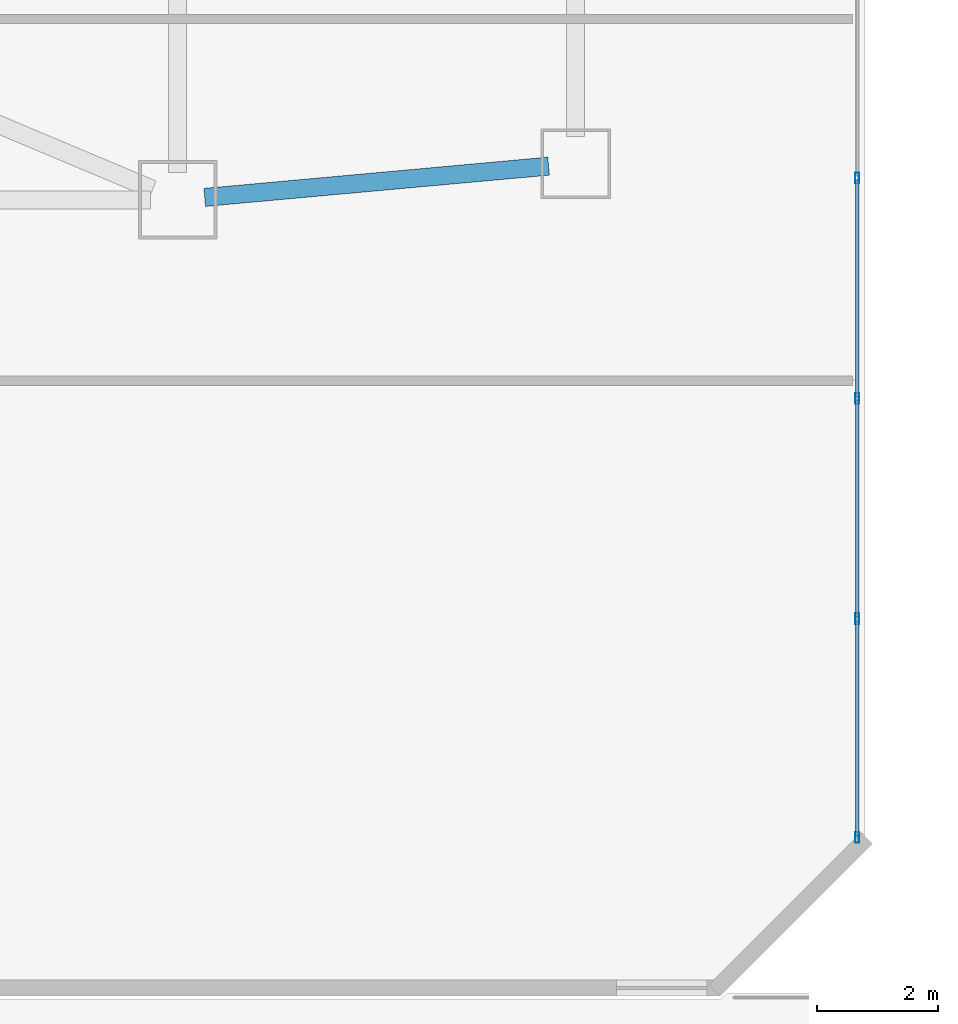
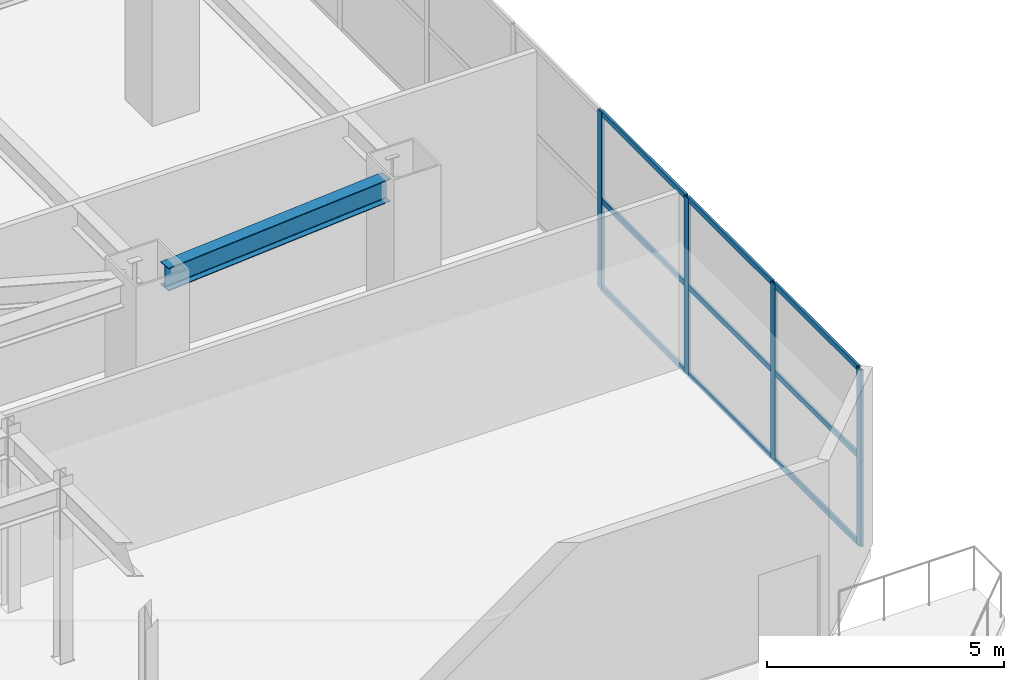
# One storey, part 18 of 31: 13 members, 1 beam, 1 element without a shape of its own.
"""IFC4 building model written with IfcOpenShell, lengths in metres."""

import ifcopenshell
import ifcopenshell.guid

model = None  # the IFC model being written
_history = None  # IfcOwnerHistory: only IFC2X3 demands one
_inside = {}  # id of a spatial element -> (the spatial element, [elements in it])
_under = {}  # id of a project, library or spatial element -> (it, [spatial elements below it])
_declared = {}  # id of a project -> (the project, [libraries it declares])
_typed = {}  # id of a type object -> (the type object, [elements of that type])
_made_of = {}  # id of a material, layer set ... -> (it, [elements and type objects made of it])


def new_model(schema):
    """Start an empty IFC model of exactly this schema.

    Asked for "IFC4X3", IfcOpenShell would pick the latest addendum, in which some entities
    have other attributes; the version numbers below select the first issue.
    IFC2X3 requires an IfcOwnerHistory on every rooted entity: one is made here for all.
    """
    global model, _history
    if schema == "IFC4X3":
        model = ifcopenshell.file(schema_version=(4, 3, 0, 0))
    else:
        model = ifcopenshell.file(schema=schema)
    _inside.clear()
    _under.clear()
    _declared.clear()
    _typed.clear()
    _made_of.clear()
    _history = None
    if model.schema == "IFC2X3":
        org = make("IfcOrganization", Name="unknown")
        user = make(
            "IfcPersonAndOrganization",
            ThePerson=make("IfcPerson", FamilyName="unknown"),
            TheOrganization=org,
        )
        app = make(
            "IfcApplication",
            ApplicationDeveloper=org,
            Version="unknown",
            ApplicationFullName="unknown",
            ApplicationIdentifier="unknown",
        )
        _history = make(
            "IfcOwnerHistory",
            OwningUser=user,
            OwningApplication=app,
            ChangeAction="ADDED",
            CreationDate=0,
        )
    return model


def make(cls, **values):
    """One entity of the class cls with the attributes given. An attribute that is None is left unset."""
    return model.create_entity(
        cls, **{name: value for name, value in values.items() if value is not None}
    )


def rooted(cls, **values):
    """An entity with a GlobalId (a new one), such as an element, a storey or a relation."""
    return make(cls, GlobalId=ifcopenshell.guid.new(), OwnerHistory=_history, **values)


def si_unit(unit_type, name, prefix=None):
    """IfcSIUnit, for example si_unit("LENGTHUNIT", "METRE", prefix="MILLI")."""
    return make("IfcSIUnit", UnitType=unit_type, Prefix=prefix, Name=name)


def assignment(units):
    """IfcUnitAssignment: the units of a project."""
    return None if units is None else make("IfcUnitAssignment", Units=units)


def point(xyz):
    """IfcCartesianPoint."""
    return None if xyz is None else make("IfcCartesianPoint", Coordinates=xyz)


def direction(xyz):
    """IfcDirection."""
    return None if xyz is None else make("IfcDirection", DirectionRatios=xyz)


def frame(location, z_axis=None, x_axis=None):
    """IfcAxis2Placement3D, a coordinate frame: its origin and axes. An axis left out is left unset."""
    return make(
        "IfcAxis2Placement3D",
        Location=point(location),
        Axis=direction(z_axis),
        RefDirection=direction(x_axis),
    )


def frame_2d(location, x_axis=None):
    """IfcAxis2Placement2D, a coordinate frame in the plane: its origin and x axis."""
    return make(
        "IfcAxis2Placement2D", Location=point(location), RefDirection=direction(x_axis)
    )


def origin():
    """The frame at (0, 0, 0) with its axes left unset."""
    return frame((0.0, 0.0, 0.0))


def origin_2d():
    """The frame at (0, 0) in the plane with its x axis left unset."""
    return frame_2d((0.0, 0.0))


def place(relative_to, where):
    """IfcLocalPlacement: puts the frame where relative to a parent placement (None: the world)."""
    return make(
        "IfcLocalPlacement", PlacementRelTo=relative_to, RelativePlacement=where
    )


def context(
    kind, dimensions, precision=None, world=None, true_north=None, identifier=None
):
    """IfcGeometricRepresentationContext, for example the 3D "Model" context."""
    return make(
        "IfcGeometricRepresentationContext",
        ContextIdentifier=identifier,
        ContextType=kind,
        CoordinateSpaceDimension=dimensions,
        Precision=precision,
        WorldCoordinateSystem=world,
        TrueNorth=true_north,
    )


def subcontext(parent, identifier, kind, view, scale=None):
    """IfcGeometricRepresentationSubContext, for example "Body" below "Model"."""
    return make(
        "IfcGeometricRepresentationSubContext",
        ContextIdentifier=identifier,
        ContextType=kind,
        ParentContext=parent,
        TargetScale=scale,
        TargetView=view,
    )


def project(units=None, contexts=None):
    """IfcProject with its units and contexts."""
    return rooted(
        "IfcProject",
        Name="project",
        RepresentationContexts=contexts,
        UnitsInContext=assignment(units),
    )


def spatial(cls, under=None, at=None, **own):
    """A site, building, storey or space (cls), placed at a placement, below another one or the project."""
    s = rooted(cls, ObjectPlacement=at, **own)
    if under is not None:
        _under.setdefault(under.id(), (under, []))[1].append(s)
    return s


def profile(cls, at=None, kind="AREA", **sizes):
    """A parametric profile (cls). Its sizes go by their IFC names, for example OverallWidth=200.0."""
    return make(cls, ProfileType=kind, Position=at, **sizes)


def hollow_rectangle(**sizes):
    """IfcRectangleHollowProfileDef."""
    return profile("IfcRectangleHollowProfileDef", **sizes)


def i_section(**sizes):
    """IfcIShapeProfileDef."""
    return profile("IfcIShapeProfileDef", **sizes)


def extrude(swept, where, along, depth):
    """IfcExtrudedAreaSolid: the profile swept, set in the frame where, extruded along a direction by depth."""
    return make(
        "IfcExtrudedAreaSolid",
        SweptArea=swept,
        Position=where,
        ExtrudedDirection=direction(along),
        Depth=depth,
    )


def shape(context_of_items, identifier, shape_type, items):
    """IfcShapeRepresentation: the items that make up one representation, for example the "Body"."""
    return make(
        "IfcShapeRepresentation",
        ContextOfItems=context_of_items,
        RepresentationIdentifier=identifier,
        RepresentationType=shape_type,
        Items=items,
    )


def material(Name=None, Category=None):
    """IfcMaterial."""
    return make("IfcMaterial", Name=Name, Category=Category)


def layer(
    of_material, thickness, ventilated=None, Name=None, Category=None, Priority=None
):
    """IfcMaterialLayer: one layer of a wall or slab, of a material (None: an air gap)."""
    return make(
        "IfcMaterialLayer",
        Material=of_material,
        LayerThickness=thickness,
        IsVentilated=ventilated,
        Name=Name,
        Category=Category,
        Priority=Priority,
    )


def layer_set(layers, Name=None):
    """IfcMaterialLayerSet."""
    return make("IfcMaterialLayerSet", MaterialLayers=layers, LayerSetName=Name)


def material_profile(
    of_material, cross_section, Name=None, Category=None, Priority=None
):
    """IfcMaterialProfile: a cross section and its material."""
    return make(
        "IfcMaterialProfile",
        Name=Name,
        Material=of_material,
        Profile=cross_section,
        Priority=Priority,
        Category=Category,
    )


def profile_set(profiles, Name=None, composite=None):
    """IfcMaterialProfileSet."""
    return make(
        "IfcMaterialProfileSet",
        Name=Name,
        MaterialProfiles=profiles,
        CompositeProfile=composite,
    )


def made_of(thing, what):
    """Note that an element or type object is made of a material, layer set ...; save() writes the relation."""
    if what is not None:
        _made_of.setdefault(what.id(), (what, []))[1].append(thing)
    return thing


def type_object(cls, material=None, **own):
    """A type object (cls), such as IfcWallType, which elements share."""
    return made_of(rooted(cls, **own), material)


def element(
    cls,
    number,
    at=None,
    inside=None,
    cuts=None,
    type_object=None,
    material=None,
    context=None,
    identifier="Body",
    shape_type=None,
    held_by="IfcProductDefinitionShape",
    body=None,
    shapes=None,
    **own,
):
    """One element of the class cls, such as IfcWall. Its Tag is "e" and its number.

    at: its placement. inside: the storey or other place that contains it. cuts: it is an
    opening in that element (IfcRelVoidsElement). A single representation is given by context,
    identifier, shape_type and body (its items); several are given by shapes. held_by: the class
    of the entity that holds the representations. save() writes the other relations.
    """
    e = rooted(cls, Tag="e%d" % number, ObjectPlacement=at, **own)
    if body is not None:
        shapes = [shape(context, identifier, shape_type, body)]
    if shapes is not None:
        e.Representation = make(held_by, Representations=shapes)
    if inside is not None:
        _inside.setdefault(inside.id(), (inside, []))[1].append(e)
    if cuts is not None:
        rooted(
            "IfcRelVoidsElement", RelatingBuildingElement=cuts, RelatedOpeningElement=e
        )
    if type_object is not None:
        _typed.setdefault(type_object.id(), (type_object, []))[1].append(e)
    return made_of(e, material)


def aggregate(whole, parts):
    """IfcRelAggregates: a whole, such as a stair, and the parts it consists of."""
    return rooted("IfcRelAggregates", RelatingObject=whole, RelatedObjects=parts)


def save(model, path):
    """Write the relations noted so far, then the file.

    IfcRelAggregates (storeys below a building ...), IfcRelContainedInSpatialStructure (elements
    in a storey), IfcRelDefinesByType, IfcRelAssociatesMaterial and IfcRelDeclares: one each for
    every whole, place, type object, material and project.
    """
    for whole, parts in _under.values():
        aggregate(whole, parts)
    for where, things in _inside.values():
        rooted(
            "IfcRelContainedInSpatialStructure",
            RelatedElements=things,
            RelatingStructure=where,
        )
    for kind, things in _typed.values():
        rooted("IfcRelDefinesByType", RelatedObjects=things, RelatingType=kind)
    for what, things in _made_of.values():
        rooted("IfcRelAssociatesMaterial", RelatedObjects=things, RelatingMaterial=what)
    for by, libraries in _declared.values():
        rooted("IfcRelDeclares", RelatingContext=by, RelatedDefinitions=libraries)
    model.write(path)


model = new_model("IFC4")

# Units and contexts
model_context = context("Model", 3, precision=1e-05, world=origin(), true_north=direction((0.0, 1.0)))
body_context = subcontext(model_context, "Body", "Model", "MODEL_VIEW")
ifc_project = project(units=[si_unit("LENGTHUNIT", "METRE"), si_unit("AREAUNIT", "SQUARE_METRE"), si_unit("VOLUMEUNIT", "CUBIC_METRE"), si_unit("PLANEANGLEUNIT", "RADIAN"), si_unit("MASSUNIT", "GRAM", prefix="KILO")], contexts=[model_context])

# Site, building, storey
site_placement = place(None, origin())
site = spatial("IfcSite", under=ifc_project, at=site_placement, CompositionType="ELEMENT")
building_placement = place(site_placement, origin())
building = spatial("IfcBuilding", under=site, at=building_placement, Name="Haolan Belvedere Tower", CompositionType="ELEMENT")
storey_placement = place(building_placement, frame((0.0, 0.0, 5.39990234375)))
storey = spatial("IfcBuildingStorey", under=building, at=storey_placement, Name="L01", CompositionType="ELEMENT", Elevation=5.39990234375)

# Beam
ifc_material_1 = material(Name="Steel Q355B", Category="steel")
ifc_material_profile_1 = material_profile(ifc_material_1, i_section(OverallWidth=0.300048828125, OverallDepth=0.587890625, WebThickness=0.011962890625, FlangeThickness=0.02001953125, FilletRadius=0.028076171875, at=origin_2d()), Name="Steel Q355B")
ifc_profile_set_1 = profile_set([ifc_material_profile_1], Name="Steel Q355B")
beam_type = type_object("IfcBeamType", Name="BM-HM588x300x12x20", PredefinedType="SPANDREL", material=ifc_profile_set_1)
beam_placement = place(storey_placement, frame((64.648193359375, 16.8408203125, 4.26611328125), z_axis=(0.995892507606, 0.090543433189, 0.0), x_axis=(-0.090543433189, 0.995892507606, 0.0)))
element("IfcBeam", 1, at=beam_placement, inside=storey, type_object=beam_type, Name="L01 spandrel girder MC-T4-SE-MC-T5-SE", PredefinedType="SPANDREL", context=body_context, shape_type="SweptSolid", body=[
    extrude(i_section(OverallWidth=0.300048828125, OverallDepth=0.587890625, WebThickness=0.011962890625, FlangeThickness=0.02001953125, FilletRadius=0.028076171875, at=origin_2d()), origin(), (0.0, 0.0, 1.0), 5.72705078125),
])

# Curtain wall, members
ifc_material_2 = material(Name="Anodised champagne-silver aluminium 6063-T6 and Low-E glass", Category="aluminium")
ifc_layer = layer(ifc_material_2, 0.179931640625, Name="Anodised champagne-silver aluminium 6063-T6 and Low-E glass")
ifc_layer_set = layer_set([ifc_layer], Name="Anodised champagne-silver aluminium 6063-T6 and Low-E glass")
curtain_wall_type = type_object("IfcCurtainWallType", Name="CW-SYS-01", PredefinedType="NOTDEFINED", material=ifc_layer_set)
curtain_wall_placement = place(storey_placement, origin())
curtain_wall = element("IfcCurtainWall", 2, at=curtain_wall_placement, inside=storey, type_object=curtain_wall_type, Name="L01 CW-SYS-01 ribbon curtain wall 2.1", PredefinedType="NOTDEFINED")
ifc_material_3 = material(Name="Anodised aluminium 6063-T6", Category="aluminium")
ifc_material_profile_2 = material_profile(ifc_material_3, hollow_rectangle(XDim=0.06494140625, YDim=0.179931640625, WallThickness=0.00390625, at=origin_2d()), Name="Anodised aluminium 6063-T6")
ifc_profile_set_2 = profile_set([ifc_material_profile_2], Name="Anodised aluminium 6063-T6")
member_type_1 = type_object("IfcMemberType", Name="CW-SYS-01-MUL", PredefinedType="MULLION", material=ifc_profile_set_2)
member_1_placement = place(storey_placement, frame((75.469970703125, 6.226318359375, 0.0), z_axis=(0.0, 0.0, 1.0), x_axis=(-1.0, 0.0, 0.0)))
member_1 = element("IfcMember", 3, at=member_1_placement, type_object=member_type_1, Name="CW-01 mullion 1", PredefinedType="MULLION", context=body_context, shape_type="SweptSolid", body=[
    extrude(hollow_rectangle(XDim=0.06494140625, YDim=0.179931640625, WallThickness=0.00390625, at=origin_2d()), origin(), (0.0, 0.0, 1.0), 4.56005859375),
])
member_2_placement = place(storey_placement, frame((75.469970703125, 9.850341796875, 0.0), z_axis=(0.0, 0.0, 1.0), x_axis=(-1.0, 0.0, 0.0)))
member_2 = element("IfcMember", 4, at=member_2_placement, type_object=member_type_1, Name="CW-01 mullion 2", PredefinedType="MULLION", context=body_context, shape_type="SweptSolid", body=[
    extrude(hollow_rectangle(XDim=0.06494140625, YDim=0.179931640625, WallThickness=0.00390625, at=origin_2d()), origin(), (0.0, 0.0, 1.0), 4.56005859375),
])
member_3_placement = place(storey_placement, frame((75.469970703125, 13.507080078125, 0.0), z_axis=(0.0, 0.0, 1.0), x_axis=(-1.0, 0.0, 0.0)))
member_3 = element("IfcMember", 5, at=member_3_placement, type_object=member_type_1, Name="CW-01 mullion 3", PredefinedType="MULLION", context=body_context, shape_type="SweptSolid", body=[
    extrude(hollow_rectangle(XDim=0.06494140625, YDim=0.179931640625, WallThickness=0.00390625, at=origin_2d()), origin(), (0.0, 0.0, 1.0), 4.56005859375),
])
member_4_placement = place(storey_placement, frame((75.469970703125, 17.16357421875, 0.0), z_axis=(0.0, 0.0, 1.0), x_axis=(-1.0, 0.0, 0.0)))
member_4 = element("IfcMember", 6, at=member_4_placement, type_object=member_type_1, Name="CW-01 mullion 4", PredefinedType="MULLION", context=body_context, shape_type="SweptSolid", body=[
    extrude(hollow_rectangle(XDim=0.06494140625, YDim=0.179931640625, WallThickness=0.00390625, at=origin_2d()), origin(), (0.0, 0.0, 1.0), 4.56005859375),
])
ifc_material_profile_3 = material_profile(ifc_material_3, hollow_rectangle(XDim=0.06005859375, YDim=0.139892578125, WallThickness=0.00390625, at=origin_2d()), Name="Anodised aluminium 6063-T6")
ifc_profile_set_3 = profile_set([ifc_material_profile_3], Name="Anodised aluminium 6063-T6")
member_type_2 = type_object("IfcMemberType", Name="CW-SYS-01-TRN", PredefinedType="USERDEFINED", material=ifc_profile_set_3)
member_5_placement = place(storey_placement, frame((75.469970703125, 6.2587890625, 0.030029296875), z_axis=(0.0, 1.0, 0.0), x_axis=(-1.0, 0.0, 0.0)))
member_5 = element("IfcMember", 7, at=member_5_placement, type_object=member_type_2, Name="CW-01 transom 1.1", ObjectType="TRANSOM", PredefinedType="USERDEFINED", context=body_context, shape_type="SweptSolid", body=[
    extrude(hollow_rectangle(XDim=0.06005859375, YDim=0.139892578125, WallThickness=0.00390625, at=origin_2d()), origin(), (0.0, 0.0, 1.0), 3.55908203125),
])
member_6_placement = place(storey_placement, frame((75.469970703125, 6.2587890625, 2.280029296875), z_axis=(0.0, 1.0, 0.0), x_axis=(-1.0, 0.0, 0.0)))
member_6 = element("IfcMember", 8, at=member_6_placement, type_object=member_type_2, Name="CW-01 transom 1.2", ObjectType="TRANSOM", PredefinedType="USERDEFINED", context=body_context, shape_type="SweptSolid", body=[
    extrude(hollow_rectangle(XDim=0.06005859375, YDim=0.139892578125, WallThickness=0.00390625, at=origin_2d()), origin(), (0.0, 0.0, 1.0), 3.55908203125),
])
member_7_placement = place(storey_placement, frame((75.469970703125, 6.2587890625, 4.530029296875), z_axis=(0.0, 1.0, 0.0), x_axis=(-1.0, 0.0, 0.0)))
member_7 = element("IfcMember", 9, at=member_7_placement, type_object=member_type_2, Name="CW-01 transom 1.3", ObjectType="TRANSOM", PredefinedType="USERDEFINED", context=body_context, shape_type="SweptSolid", body=[
    extrude(hollow_rectangle(XDim=0.06005859375, YDim=0.139892578125, WallThickness=0.00390625, at=origin_2d()), origin(), (0.0, 0.0, 1.0), 3.55908203125),
])
member_8_placement = place(storey_placement, frame((75.469970703125, 9.8828125, 0.030029296875), z_axis=(0.0, 1.0, 0.0), x_axis=(-1.0, 0.0, 0.0)))
member_8 = element("IfcMember", 10, at=member_8_placement, type_object=member_type_2, Name="CW-01 transom 2.1", ObjectType="TRANSOM", PredefinedType="USERDEFINED", context=body_context, shape_type="SweptSolid", body=[
    extrude(hollow_rectangle(XDim=0.06005859375, YDim=0.139892578125, WallThickness=0.00390625, at=origin_2d()), origin(), (0.0, 0.0, 1.0), 3.591796875),
])
member_9_placement = place(storey_placement, frame((75.469970703125, 9.8828125, 2.280029296875), z_axis=(0.0, 1.0, 0.0), x_axis=(-1.0, 0.0, 0.0)))
member_9 = element("IfcMember", 11, at=member_9_placement, type_object=member_type_2, Name="CW-01 transom 2.2", ObjectType="TRANSOM", PredefinedType="USERDEFINED", context=body_context, shape_type="SweptSolid", body=[
    extrude(hollow_rectangle(XDim=0.06005859375, YDim=0.139892578125, WallThickness=0.00390625, at=origin_2d()), origin(), (0.0, 0.0, 1.0), 3.591796875),
])
member_10_placement = place(storey_placement, frame((75.469970703125, 9.8828125, 4.530029296875), z_axis=(0.0, 1.0, 0.0), x_axis=(-1.0, 0.0, 0.0)))
member_10 = element("IfcMember", 12, at=member_10_placement, type_object=member_type_2, Name="CW-01 transom 2.3", ObjectType="TRANSOM", PredefinedType="USERDEFINED", context=body_context, shape_type="SweptSolid", body=[
    extrude(hollow_rectangle(XDim=0.06005859375, YDim=0.139892578125, WallThickness=0.00390625, at=origin_2d()), origin(), (0.0, 0.0, 1.0), 3.591796875),
])
member_11_placement = place(storey_placement, frame((75.469970703125, 13.53955078125, 0.030029296875), z_axis=(0.0, 1.0, 0.0), x_axis=(-1.0, 0.0, 0.0)))
member_11 = element("IfcMember", 13, at=member_11_placement, type_object=member_type_2, Name="CW-01 transom 3.1", ObjectType="TRANSOM", PredefinedType="USERDEFINED", context=body_context, shape_type="SweptSolid", body=[
    extrude(hollow_rectangle(XDim=0.06005859375, YDim=0.139892578125, WallThickness=0.00390625, at=origin_2d()), origin(), (0.0, 0.0, 1.0), 3.591552734375),
])
member_12_placement = place(storey_placement, frame((75.469970703125, 13.53955078125, 2.280029296875), z_axis=(0.0, 1.0, 0.0), x_axis=(-1.0, 0.0, 0.0)))
member_12 = element("IfcMember", 14, at=member_12_placement, type_object=member_type_2, Name="CW-01 transom 3.2", ObjectType="TRANSOM", PredefinedType="USERDEFINED", context=body_context, shape_type="SweptSolid", body=[
    extrude(hollow_rectangle(XDim=0.06005859375, YDim=0.139892578125, WallThickness=0.00390625, at=origin_2d()), origin(), (0.0, 0.0, 1.0), 3.591552734375),
])
member_13_placement = place(storey_placement, frame((75.469970703125, 13.53955078125, 4.530029296875), z_axis=(0.0, 1.0, 0.0), x_axis=(-1.0, 0.0, 0.0)))
member_13 = element("IfcMember", 15, at=member_13_placement, type_object=member_type_2, Name="CW-01 transom 3.3", ObjectType="TRANSOM", PredefinedType="USERDEFINED", context=body_context, shape_type="SweptSolid", body=[
    extrude(hollow_rectangle(XDim=0.06005859375, YDim=0.139892578125, WallThickness=0.00390625, at=origin_2d()), origin(), (0.0, 0.0, 1.0), 3.591552734375),
])
aggregate(curtain_wall, [member_1, member_2, member_3, member_4, member_5, member_6, member_7, member_8, member_9, member_10, member_11, member_12, member_13])

save(model, "model.ifc")
